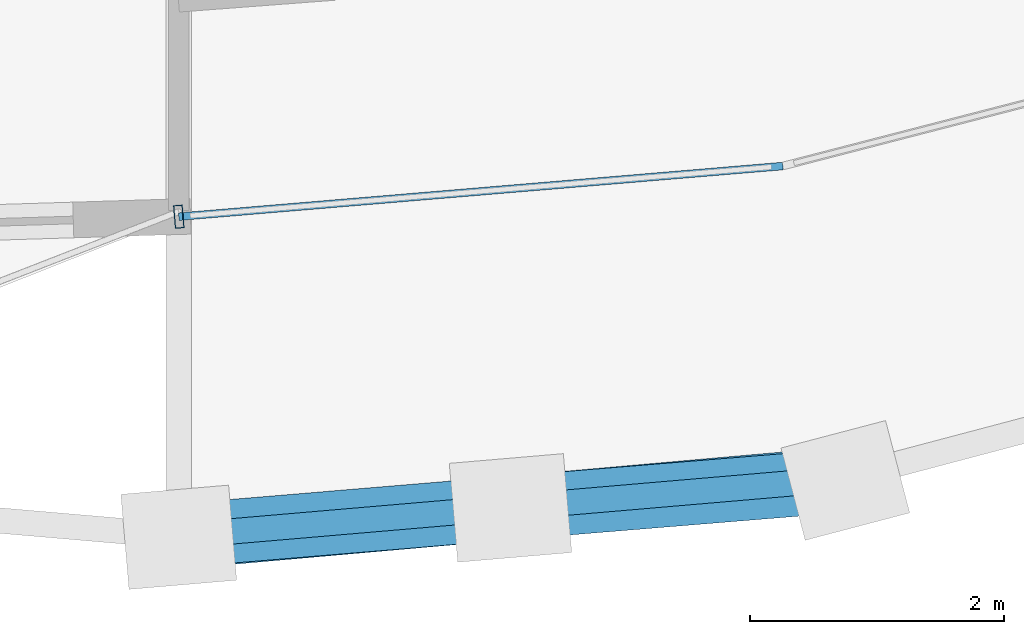
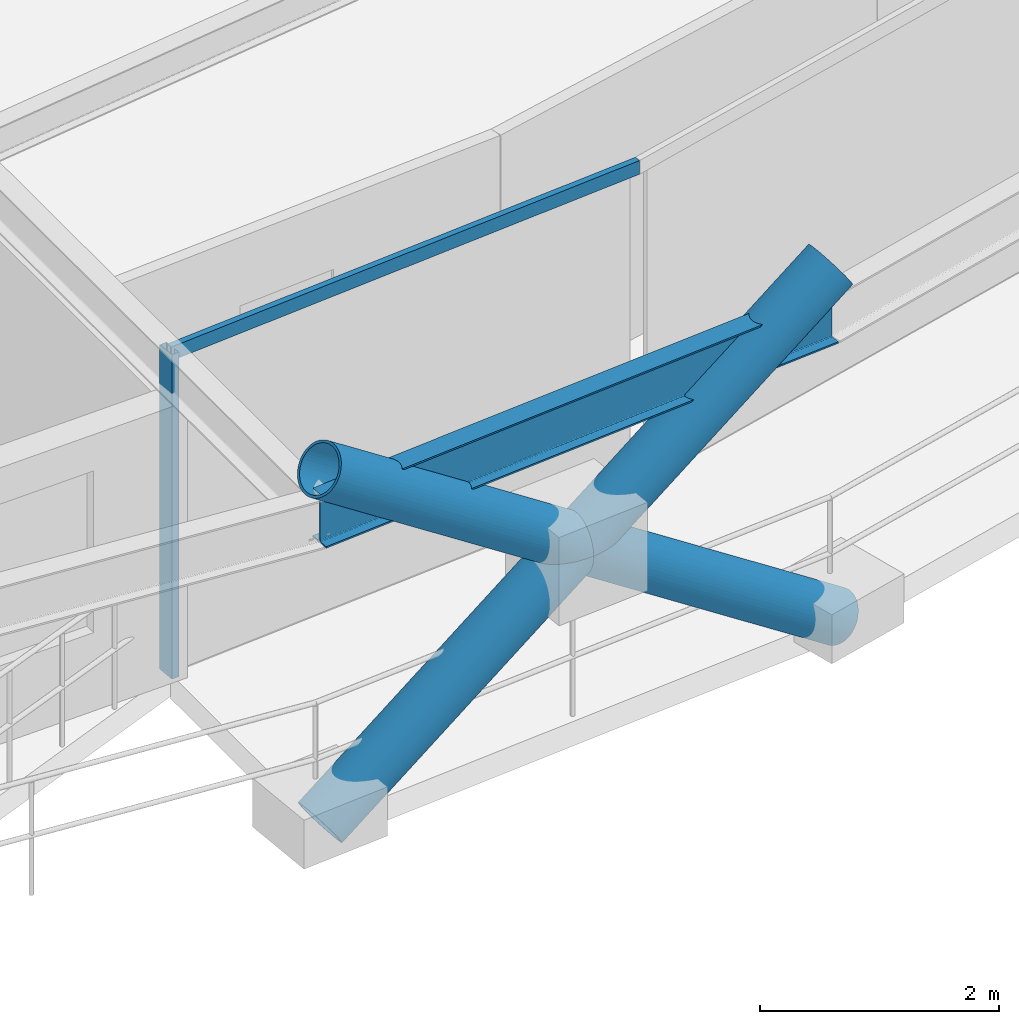
# One storey, part 2 of 16: 5 members, 1 beam, 1 element without a shape of its own.
"""IFC4 building model written with IfcOpenShell, lengths in metres."""

from ifc_helpers import new_model, si_unit, direction, frame, origin, origin_2d, place, context, subcontext, project, spatial, hollow_rectangle, hollow_circle, i_section, extrude, material, layer, layer_set, material_profile, profile_set, type_object, element, aggregate, save


model = new_model("IFC4")

# Units and contexts
model_context = context("Model", 3, precision=1e-05, world=origin(), true_north=direction((0.0, 1.0)))
body_context = subcontext(model_context, "Body", "Model", "MODEL_VIEW")
ifc_project = project(units=[si_unit("LENGTHUNIT", "METRE"), si_unit("AREAUNIT", "SQUARE_METRE"), si_unit("VOLUMEUNIT", "CUBIC_METRE"), si_unit("PLANEANGLEUNIT", "RADIAN"), si_unit("MASSUNIT", "GRAM", prefix="KILO")], contexts=[model_context])

# Site, building, storey
site_placement = place(None, origin())
site = spatial("IfcSite", under=ifc_project, at=site_placement, CompositionType="ELEMENT")
building_placement = place(site_placement, origin())
building = spatial("IfcBuilding", under=site, at=building_placement, Name="Veldorina Hangang Commons", CompositionType="ELEMENT")
storey_placement = place(building_placement, frame((0.0, 0.0, 192.800048828125)))
storey = spatial("IfcBuildingStorey", under=building, at=storey_placement, Name="L50", CompositionType="ELEMENT", Elevation=192.800048828125)

# Beam
ifc_material_1 = material(Name="Steel SM420-TMC", Category="steel")
ifc_material_profile_1 = material_profile(ifc_material_1, i_section(OverallWidth=0.199951171875, OverallDepth=0.5, WebThickness=0.010009765625, FlangeThickness=0.01611328125, FilletRadius=0.01611328125, at=origin_2d()), Name="H-500x200x10x16")
ifc_profile_set_1 = profile_set([ifc_material_profile_1], Name="Steel SM420-TMC")
beam_type = type_object("IfcBeamType", Name="BM-RB500", PredefinedType="BEAM", material=ifc_profile_set_1)
beam_placement = place(storey_placement, frame((32.0, 0.77099609375, 3.099853515625), z_axis=(0.996335150659, 0.085535183178, 0.0), x_axis=(-0.085535183178, 0.996335150659, 0.0)))
element("IfcBeam", 1, at=beam_placement, inside=storey, type_object=beam_type, Name="L50 perimeter hoop ring beam 24", PredefinedType="BEAM", context=body_context, shape_type="SweptSolid", body=[
    extrude(i_section(OverallWidth=0.199951171875, OverallDepth=0.5, WebThickness=0.010009765625, FlangeThickness=0.01611328125, FilletRadius=0.01611328125, at=origin_2d()), origin(), (0.0, 0.0, 1.0), 5.217529296875),
])

# Curtain wall, members
ifc_material_2 = material(Name="Glass Low-E Triple IGU", Category="glass")
ifc_layer = layer(ifc_material_2, 0.179931640625)
ifc_layer_set = layer_set([ifc_layer], Name="Glass Low-E Triple IGU")
curtain_wall_type = type_object("IfcCurtainWallType", Name="CW-SYS-Z2", PredefinedType="NOTDEFINED", material=ifc_layer_set)
curtain_wall_placement = place(storey_placement, origin())
curtain_wall = element("IfcCurtainWall", 2, at=curtain_wall_placement, inside=storey, type_object=curtain_wall_type, Name="L50 unitised curtain wall CW-L50-R1", PredefinedType="NOTDEFINED")
ifc_material_3 = material(Name="Aluminium Anodized AA6063-T6", Category="aluminium")
ifc_material_profile_2 = material_profile(ifc_material_3, hollow_rectangle(XDim=0.070068359375, YDim=0.179931640625, WallThickness=0.00390625, at=origin_2d()), Name="ALU-RHS-180x70x4")
ifc_profile_set_2 = profile_set([ifc_material_profile_2], Name="Aluminium Anodized AA6063-T6")
member_type_1 = type_object("IfcMemberType", Name="CW-MUL-180", PredefinedType="MULLION", material=ifc_profile_set_2)
member_1_placement = place(storey_placement, frame((32.0, 3.280517578125, 0.0), z_axis=(0.0, 0.0, 1.0), x_axis=(0.996504533167, 0.083538705866, 0.0)))
member_1 = element("IfcMember", 3, at=member_1_placement, type_object=member_type_1, Name="CW-L50-R1 vertical mullion 1", PredefinedType="MULLION", context=body_context, shape_type="SweptSolid", body=[
    extrude(hollow_rectangle(XDim=0.070068359375, YDim=0.179931640625, WallThickness=0.00390625, at=origin_2d()), origin(), (0.0, 0.0, 1.0), 3.31005859375),
])
ifc_material_profile_3 = material_profile(ifc_material_3, hollow_rectangle(XDim=0.06005859375, YDim=0.139892578125, WallThickness=0.00341796875, at=origin_2d()), Name="ALU-RHS-140x60x3.5")
ifc_profile_set_3 = profile_set([ifc_material_profile_3], Name="Aluminium Anodized AA6063-T6")
member_type_2 = type_object("IfcMemberType", Name="CW-TRN-140", PredefinedType="USERDEFINED", material=ifc_profile_set_3)
member_2_placement = place(storey_placement, frame((32.0, 3.280517578125, 3.27001953125), z_axis=(0.996502516708, 0.083562756028, 0.0), x_axis=(-0.083562756028, 0.996502516708, 0.0)))
member_2 = element("IfcMember", 4, at=member_2_placement, type_object=member_type_2, Name="CW-L50-R1 facet 1 transom 1", ObjectType="TRANSOM", PredefinedType="USERDEFINED", context=body_context, shape_type="SweptSolid", body=[
    extrude(hollow_rectangle(XDim=0.06005859375, YDim=0.139892578125, WallThickness=0.00341796875, at=origin_2d()), origin(), (0.0, 0.0, 1.0), 4.76513671875),
])
aggregate(curtain_wall, [member_1, member_2])

# Members
ifc_material_profile_4 = material_profile(ifc_material_1, hollow_circle(Radius=0.25, WallThickness=0.02490234375, at=origin_2d()), Name="CHS-500x25")
ifc_profile_set_4 = profile_set([ifc_material_profile_4], Name="Steel SM420-TMC")
member_type_3 = type_object("IfcMemberType", Name="DG-CHS500", PredefinedType="BRACE", material=ifc_profile_set_4)
member_3_placement = place(storey_placement, frame((32.0, 0.760498046875, 0.0), z_axis=(0.819618966029, 0.072383936901, 0.568317971037), x_axis=(-0.087971734777, 0.996122971264, 0.0)))
element("IfcMember", 5, at=member_3_placement, inside=storey, type_object=member_type_3, Name="L50 continuous perimeter diagrid brace 24", PredefinedType="BRACE", context=body_context, shape_type="SweptSolid", body=[
    extrude(hollow_circle(Radius=0.25, WallThickness=0.02490234375, at=origin_2d()), origin(), (0.0, 0.0, 1.0), 6.334228515625),
])
member_4_placement = place(storey_placement, frame((37.239990234375, 1.20703125, 0.0), z_axis=(-0.822338024194, -0.067504790967, 0.564980775921), x_axis=(0.081813668838, -0.996647642646, 0.0)))
element("IfcMember", 6, at=member_4_placement, inside=storey, type_object=member_type_3, Name="L50 split perimeter diagrid lower brace 25", PredefinedType="BRACE", context=body_context, shape_type="SweptSolid", body=[
    extrude(hollow_circle(Radius=0.25, WallThickness=0.02490234375, at=origin_2d()), origin(), (0.0, 0.0, 1.0), 3.20068359375),
])
member_5_placement = place(storey_placement, frame((34.60791015625, 0.990966796875, 1.808349609375), z_axis=(-0.822299271788, -0.068820028925, 0.564878492453), x_axis=(0.083400617222, -0.996516099743, 0.0)))
element("IfcMember", 7, at=member_5_placement, inside=storey, type_object=member_type_3, Name="L50 split perimeter diagrid upper brace 25", PredefinedType="BRACE", context=body_context, shape_type="SweptSolid", body=[
    extrude(hollow_circle(Radius=0.25, WallThickness=0.02490234375, at=origin_2d()), origin(), (0.0, 0.0, 1.0), 3.17138671875),
])

save(model, "model.ifc")
